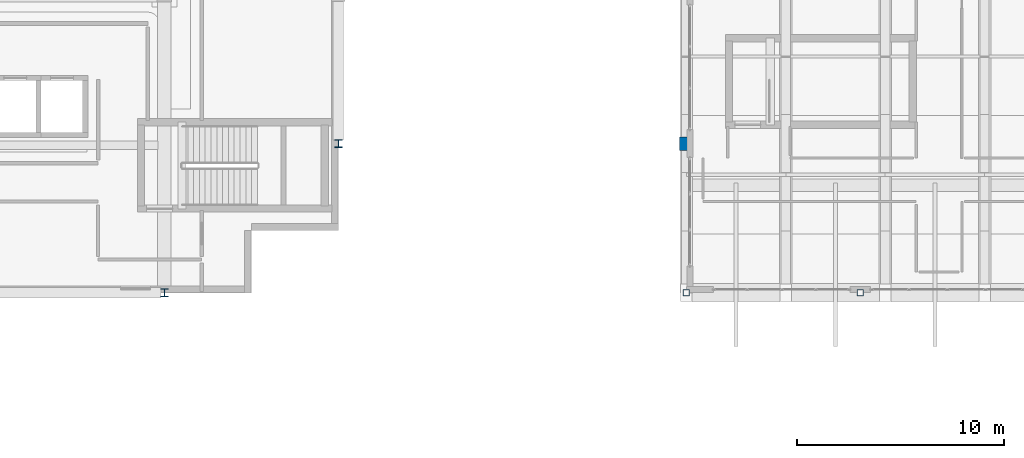
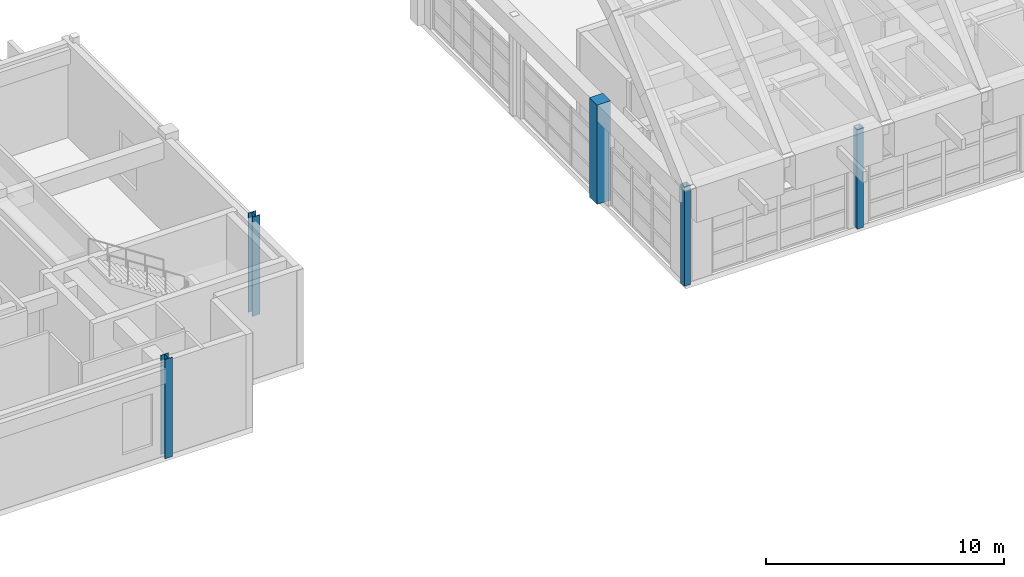
# One storey, part 6 of 78: 5 columns.
"""IFC4 building model written with IfcOpenShell, lengths in metres."""

from ifc_helpers import new_model, si_unit, direction, frame, origin, origin_2d, place, context, subcontext, project, spatial, rectangle, hollow_rectangle, i_section, extrude, material, material_profile, profile_set, type_object, element, save


model = new_model("IFC4")

# Units and contexts
model_context = context("Model", 3, precision=1e-05, world=origin(), true_north=direction((0.0, 1.0)))
body_context = subcontext(model_context, "Body", "Model", "MODEL_VIEW")
ifc_project = project(units=[si_unit("LENGTHUNIT", "METRE"), si_unit("AREAUNIT", "SQUARE_METRE"), si_unit("VOLUMEUNIT", "CUBIC_METRE"), si_unit("PLANEANGLEUNIT", "RADIAN"), si_unit("MASSUNIT", "GRAM", prefix="KILO")], contexts=[model_context])

# Site, building, storey
site_placement = place(None, origin())
site = spatial("IfcSite", under=ifc_project, at=site_placement, CompositionType="ELEMENT")
building_placement = place(site_placement, origin())
building = spatial("IfcBuilding", under=site, at=building_placement, Name="Quendrovan Civic Courthouse", CompositionType="ELEMENT")
storey_placement = place(building_placement, frame((0.0, 0.0, 20.39990234375)))
storey = spatial("IfcBuildingStorey", under=building, at=storey_placement, Name="L05", CompositionType="ELEMENT", Elevation=20.39990234375)

# Columns
ifc_material_1 = material(Name="Concrete C45/55", Category="concrete")
ifc_material_profile_1 = material_profile(ifc_material_1, rectangle(XDim=0.64990234375, YDim=0.64990234375, at=origin_2d()), Name="RC-COL-650x650")
ifc_profile_set_1 = profile_set([ifc_material_profile_1], Name="Concrete C45/55")
column_type_1 = type_object("IfcColumnType", Name="COL-RC650", PredefinedType="COLUMN", material=ifc_profile_set_1)
column_placement = place(storey_placement, frame((109.199951171875, 94.800048828125, 0.0), z_axis=(0.0, 0.0, 1.0), x_axis=(1.0, 0.0, 0.0)))
element("IfcColumn", 1, at=column_placement, inside=storey, type_object=column_type_1, Name="L05 Column 14-N", PredefinedType="COLUMN", context=body_context, shape_type="SweptSolid", body=[
    extrude(rectangle(XDim=0.64990234375, YDim=0.64990234375, at=origin_2d()), origin(), (0.0, 0.0, 1.0), 5.10009765625),
])
ifc_material_2 = material(Name="Steel ASTM A500 Grade C", Category="steel")
ifc_material_profile_2 = material_profile(ifc_material_2, hollow_rectangle(XDim=0.300048828125, YDim=0.300048828125, WallThickness=0.011962890625, at=origin_2d()), Name="HSS300x300x12")
ifc_profile_set_2 = profile_set([ifc_material_profile_2], Name="Steel ASTM A500 Grade C")
column_type_2 = type_object("IfcColumnType", Name="COL-STL-HSS300S", PredefinedType="COLUMN", material=ifc_profile_set_2)
for number, where, z_axis, x_axis, name in (
    (2, (109.199951171875, 87.60009765625, 0.0), (0.0, 0.0, 1.0), (1.0, 0.0, 0.0), "L05 Column 14-M"),
    (3, (117.60009765625, 87.60009765625, 0.0), (0.0, 0.0, 1.0), (1.0, 0.0, 0.0), "L05 Column 15-M"),
):
    element("IfcColumn", number, at=place(storey_placement, frame(where, z_axis=z_axis, x_axis=x_axis)), inside=storey, type_object=column_type_2, Name=name, PredefinedType="COLUMN", context=body_context, shape_type="SweptSolid", body=[
        extrude(hollow_rectangle(XDim=0.300048828125, YDim=0.300048828125, WallThickness=0.011962890625, at=origin_2d()), origin(), (0.0, 0.0, 1.0), 5.10009765625),
    ])
ifc_material_3 = material(Name="Steel ASTM A992 Grade 50", Category="steel")
ifc_material_profile_3 = material_profile(ifc_material_3, i_section(OverallWidth=0.3740234375, OverallDepth=0.3720703125, WebThickness=0.016357421875, FlangeThickness=0.026123046875, at=origin_2d()), Name="W14X132")
ifc_profile_set_3 = profile_set([ifc_material_profile_3], Name="Steel ASTM A992 Grade 50")
column_type_3 = type_object("IfcColumnType", Name="COL-STL-W14X132", PredefinedType="COLUMN", material=ifc_profile_set_3)
for number, where, z_axis, x_axis, name in (
    (4, (84.0, 87.60009765625, 0.0), (0.0, 0.0, 1.0), (1.0, 0.0, 0.0), "L05 Column 11-M"),
    (5, (92.39990234375, 94.800048828125, 0.0), (0.0, 0.0, 1.0), (1.0, 0.0, 0.0), "L05 Column 12-N"),
):
    element("IfcColumn", number, at=place(storey_placement, frame(where, z_axis=z_axis, x_axis=x_axis)), inside=storey, type_object=column_type_3, Name=name, PredefinedType="COLUMN", context=body_context, shape_type="SweptSolid", body=[
        extrude(i_section(OverallWidth=0.3740234375, OverallDepth=0.3720703125, WebThickness=0.016357421875, FlangeThickness=0.026123046875, at=origin_2d()), origin(), (0.0, 0.0, 1.0), 5.10009765625),
    ])

save(model, "model.ifc")
